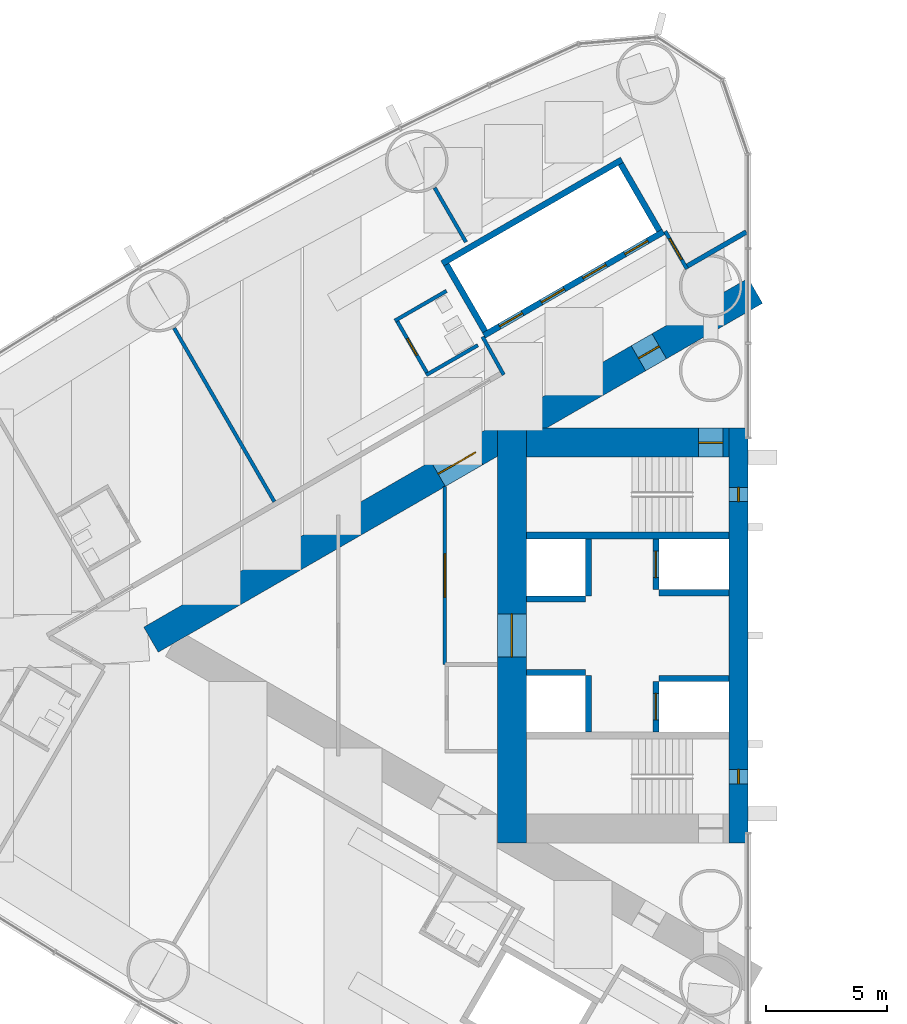
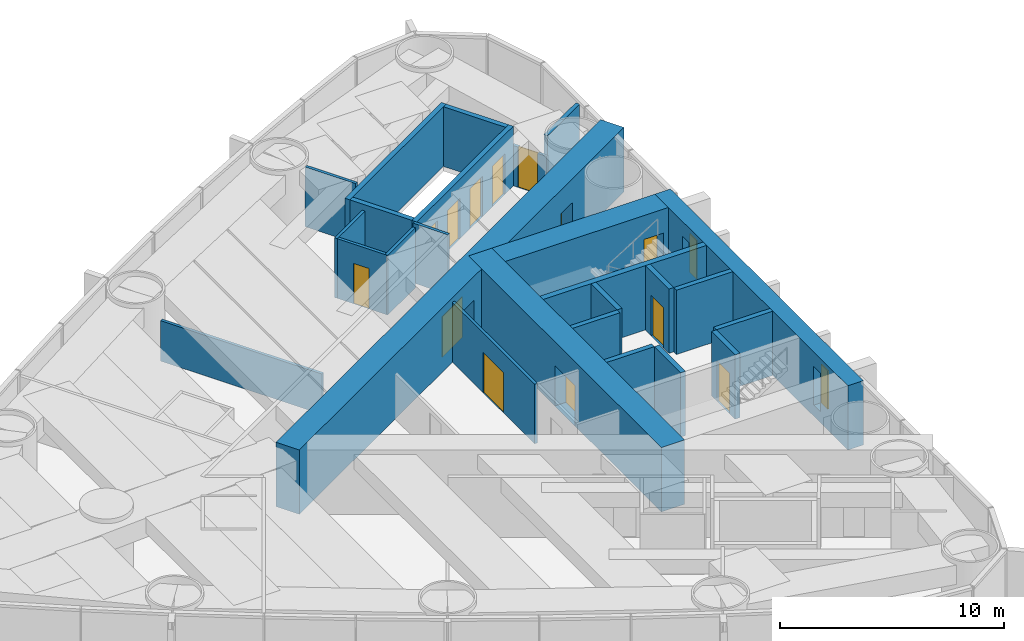
# One storey, part 12 of 18: 26 walls, 13 doors, 2 windows, 15 openings.
"""IFC4 building model written with IfcOpenShell, lengths in metres."""

from ifc_helpers import new_model, si_unit, direction, frame, frame_2d, origin, place, context, subcontext, project, spatial, rectangle, extrude, material, layer, layer_set, type_object, element, fill, save


model = new_model("IFC4")

# Units and contexts
model_context = context("Model", 3, precision=1e-05, world=origin(), true_north=direction((0.0, 1.0)))
body_context = subcontext(model_context, "Body", "Model", "MODEL_VIEW")
ifc_project = project(units=[si_unit("LENGTHUNIT", "METRE"), si_unit("AREAUNIT", "SQUARE_METRE"), si_unit("VOLUMEUNIT", "CUBIC_METRE"), si_unit("PLANEANGLEUNIT", "RADIAN"), si_unit("MASSUNIT", "GRAM", prefix="KILO")], contexts=[model_context])

# Site, building, storey
site_placement = place(None, origin())
site = spatial("IfcSite", under=ifc_project, at=site_placement, CompositionType="ELEMENT")
building_placement = place(site_placement, origin())
building = spatial("IfcBuilding", under=site, at=building_placement, Name="Lancet Gate Hotel", CompositionType="ELEMENT")
storey_placement = place(building_placement, frame((0.0, 0.0, 136.10009765625)))
storey = spatial("IfcBuildingStorey", under=building, at=storey_placement, Name="L36", CompositionType="ELEMENT", Elevation=136.10009765625)

# Wall
ifc_material_1 = material(Name="Moisture resistant board partition")
ifc_layer_1 = layer(ifc_material_1, 0.14990234375)
ifc_layer_set_1 = layer_set([ifc_layer_1], Name="Bathroom wall 150")
wall_type_1 = type_object("IfcWallType", Name="Bathroom wall 150", PredefinedType="PARTITIONING", material=ifc_layer_set_1)
wall_1_placement = place(storey_placement, frame((-40.009765625, 14.294189453125, 0.0), z_axis=(0.0, 0.0, 1.0), x_axis=(-0.866031185235, -0.4999899861, 0.0)))
element("IfcWall", 1, at=wall_1_placement, inside=storey, type_object=wall_type_1, Name="T1 bathroom wall 150 L36", PredefinedType="PARTITIONING", context=body_context, shape_type="SweptSolid", body=[
    extrude(rectangle(XDim=2.47509765625, YDim=0.14990234375, at=frame_2d((1.237548828125, 0.0))), origin(), (0.0, 0.0, 1.0), 3.25),
])

# Wall, opening, door
wall_2_placement = place(storey_placement, frame((-40.788330078125, 10.842529296875, 0.0), z_axis=(0.0, 0.0, 1.0), x_axis=(-0.500006934395, 0.866021400173, 0.0)))
wall_2 = element("IfcWall", 2, at=wall_2_placement, inside=storey, type_object=wall_type_1, Name="T1 bathroom wall 150 L36", PredefinedType="PARTITIONING", context=body_context, shape_type="SweptSolid", body=[
    extrude(rectangle(XDim=2.60009765625, YDim=0.14990234375, at=frame_2d((1.300048828125, 0.0))), origin(), (0.0, 0.0, 1.0), 3.25),
])
opening_1_placement = place(wall_2_placement, frame((0.89990234375, 0.0, 0.0)))
opening_1 = element("IfcOpeningElement", 3, at=opening_1_placement, cuts=wall_2, Name="Opening 3602-B", PredefinedType="OPENING", context=body_context, shape_type="SweptSolid", body=[
    extrude(rectangle(XDim=0.800048828125, YDim=2.199951171875, at=frame_2d((0.39990234375, 1.10009765625))), frame((0.0, 0.0849609375, 0.0), z_axis=(0.0, -1.0, 0.0), x_axis=(1.0, 0.0, 0.0)), (0.0, 0.0, 1.0), 0.169921875),
])
ifc_material_2 = material(Name="Timber door set", Category="wood")
door_type_1 = type_object("IfcDoorType", Name="Bathroom door 800", OperationType="SINGLE_SWING_RIGHT", PredefinedType="DOOR", material=ifc_material_2)
door_1_placement = place(opening_1_placement, origin())
door_1 = element("IfcDoor", 4, at=door_1_placement, inside=storey, type_object=door_type_1, Name="3602-B", OperationType="SINGLE_SWING_RIGHT", OverallHeight=2.199951171875, OverallWidth=0.800048828125, PredefinedType="DOOR", context=body_context, shape_type="SweptSolid", body=[
    extrude(rectangle(XDim=0.800048828125, YDim=2.199951171875, at=frame_2d((0.39990234375, 1.10009765625))), frame((0.0, 0.02490234375, 0.0), z_axis=(0.0, -1.0, 0.0), x_axis=(1.0, 0.0, 0.0)), (0.0, 0.0, 1.0), 0.050048828125),
])
fill(opening_1, door_1)

# Wall
wall_3_placement = place(storey_placement, frame((-38.7099609375, 12.04248046875, 0.0), z_axis=(0.0, 0.0, 1.0), x_axis=(-0.86604923931, -0.499958713387, 0.0)))
element("IfcWall", 5, at=wall_3_placement, inside=storey, type_object=wall_type_1, Name="T1 bathroom wall 150 L36", PredefinedType="PARTITIONING", context=body_context, shape_type="SweptSolid", body=[
    extrude(rectangle(XDim=2.474853515625, YDim=0.14990234375, at=frame_2d((1.2373046875, 0.0))), origin(), (0.0, 0.0, 1.0), 3.25),
])

# Wall, openings, doors
ifc_material_3 = material(Name="Concrete C70/85", Category="concrete")
ifc_layer_2 = layer(ifc_material_3, 1.199951171875)
ifc_layer_set_2 = layer_set([ifc_layer_2], Name="Buttress wall 1200")
wall_type_2 = type_object("IfcWallType", Name="Buttress wall 1200", PredefinedType="SHEAR", material=ifc_layer_set_2)
wall_4_placement = place(storey_placement, frame((-27.199951171875, 14.300048828125, 0.0), z_axis=(0.0, 0.0, 1.0), x_axis=(-0.866026593062, -0.499997940104, 0.0)))
wall_4 = element("IfcWall", 6, at=wall_4_placement, inside=storey, type_object=wall_type_2, Name="T1 buttress wall S L36", PredefinedType="SHEAR", context=body_context, shape_type="SweptSolid", body=[
    extrude(rectangle(XDim=28.9462890625, YDim=1.199951171875, at=frame_2d((14.47314453125, 0.0))), origin(), (0.0, 0.0, 1.0), 3.5),
])
opening_2_placement = place(wall_4_placement, frame((4.60009765625, 0.0, 0.0)))
opening_2 = element("IfcOpeningElement", 7, at=opening_2_placement, cuts=wall_4, Name="Opening T1-L36-LS", PredefinedType="OPENING", context=body_context, shape_type="SweptSolid", body=[
    extrude(rectangle(XDim=1.0, YDim=2.199951171875, at=frame_2d((0.5, 1.10009765625))), frame((0.0, 0.60986328125, 0.0), z_axis=(0.0, -1.0, 0.0), x_axis=(1.0, 0.0, 0.0)), (0.0, 0.0, 1.0), 1.219970703125),
])
opening_3_placement = place(wall_4_placement, frame((13.39453125, 0.0, 0.0)))
opening_3 = element("IfcOpeningElement", 8, at=opening_3_placement, cuts=wall_4, Name="Opening T1-L36-LHS", PredefinedType="OPENING", context=body_context, shape_type="SweptSolid", body=[
    extrude(rectangle(XDim=1.800048828125, YDim=2.199951171875, at=frame_2d((0.89990234375, 1.10009765625))), frame((0.0, 0.60986328125, 0.0), z_axis=(0.0, -1.0, 0.0), x_axis=(1.0, 0.0, 0.0)), (0.0, 0.0, 1.0), 1.219970703125),
])
ifc_material_4 = material(Name="Timber door set", Category="wood")
door_type_2 = type_object("IfcDoorType", Name="Lobby double door 1800", OperationType="DOUBLE_DOOR_SINGLE_SWING", PredefinedType="DOOR", material=ifc_material_4)
door_2_placement = place(opening_3_placement, origin())
door_2 = element("IfcDoor", 9, at=door_2_placement, inside=storey, type_object=door_type_2, Name="T1-L36-LHS", OperationType="DOUBLE_DOOR_SINGLE_SWING", OverallHeight=2.199951171875, OverallWidth=1.800048828125, PredefinedType="DOOR", context=body_context, shape_type="SweptSolid", body=[
    extrude(rectangle(XDim=1.800048828125, YDim=2.199951171875, at=frame_2d((0.89990234375, 1.10009765625))), frame((0.0, 0.02490234375, 0.0), z_axis=(0.0, -1.0, 0.0), x_axis=(1.0, 0.0, 0.0)), (0.0, 0.0, 1.0), 0.050048828125),
])
fill(opening_3, door_2)
ifc_material_5 = material(Name="Timber door set", Category="wood")
door_type_3 = type_object("IfcDoorType", Name="Stair lobby door 1000", OperationType="SINGLE_SWING_LEFT", PredefinedType="DOOR", material=ifc_material_5)
door_3_placement = place(opening_2_placement, origin())
door_3 = element("IfcDoor", 10, at=door_3_placement, inside=storey, type_object=door_type_3, Name="T1-L36-LS", OperationType="SINGLE_SWING_LEFT", OverallHeight=2.199951171875, OverallWidth=1.0, PredefinedType="DOOR", context=body_context, shape_type="SweptSolid", body=[
    extrude(rectangle(XDim=1.0, YDim=2.199951171875, at=frame_2d((0.5, 1.10009765625))), frame((0.0, 0.02490234375, 0.0), z_axis=(0.0, -1.0, 0.0), x_axis=(1.0, 0.0, 0.0)), (0.0, 0.0, 1.0), 0.050048828125),
])
fill(opening_2, door_3)

# Wall, opening, door
ifc_material_6 = material(Name="Concrete C70/85", Category="concrete")
ifc_layer_3 = layer(ifc_material_6, 1.199951171875)
ifc_layer_set_3 = layer_set([ifc_layer_3], Name="Core wall 1200")
wall_type_3 = type_object("IfcWallType", Name="Core wall 1200", PredefinedType="SHEAR", material=ifc_layer_set_3)
wall_5_placement = place(storey_placement, frame((-37.300048828125, 8.60009765625, 0.0), z_axis=(0.0, 0.0, 1.0), x_axis=(0.0, -1.0, 0.0)))
wall_5 = element("IfcWall", 11, at=wall_5_placement, inside=storey, type_object=wall_type_3, Name="T1 core wall back L36", PredefinedType="SHEAR", context=body_context, shape_type="SweptSolid", body=[
    extrude(rectangle(XDim=17.2001953125, YDim=1.199951171875, at=frame_2d((8.60009765625, 0.0))), origin(), (0.0, 0.0, 1.0), 3.5),
])
opening_4_placement = place(wall_5_placement, frame((7.699951171875, 0.0, 0.0)))
opening_4 = element("IfcOpeningElement", 12, at=opening_4_placement, cuts=wall_5, Name="Opening T1-L36-LL", PredefinedType="OPENING", context=body_context, shape_type="SweptSolid", body=[
    extrude(rectangle(XDim=1.800048828125, YDim=2.199951171875, at=frame_2d((0.89990234375, 1.10009765625))), frame((0.0, 0.60986328125, 0.0), z_axis=(0.0, -1.0, 0.0), x_axis=(1.0, 0.0, 0.0)), (0.0, 0.0, 1.0), 1.219970703125),
])
door_4_placement = place(opening_4_placement, origin())
door_4 = element("IfcDoor", 13, at=door_4_placement, inside=storey, type_object=door_type_2, Name="T1-L36-LL", OperationType="DOUBLE_DOOR_SINGLE_SWING", OverallHeight=2.199951171875, OverallWidth=1.800048828125, PredefinedType="DOOR", context=body_context, shape_type="SweptSolid", body=[
    extrude(rectangle(XDim=1.800048828125, YDim=2.199951171875, at=frame_2d((0.89990234375, 1.10009765625))), frame((0.0, 0.02490234375, 0.0), z_axis=(0.0, -1.0, 0.0), x_axis=(1.0, 0.0, 0.0)), (0.0, 0.0, 1.0), 0.050048828125),
])
fill(opening_4, door_4)

wall_6_placement = place(storey_placement, frame((-28.300048828125, 8.0, 0.0), z_axis=(0.0, 0.0, 1.0), x_axis=(-1.0, 0.0, 0.0)))
wall_6 = element("IfcWall", 14, at=wall_6_placement, inside=storey, type_object=wall_type_3, Name="T1 core wall side-S L36", PredefinedType="SHEAR", context=body_context, shape_type="SweptSolid", body=[
    extrude(rectangle(XDim=8.39990234375, YDim=1.199951171875, at=frame_2d((4.199951171875, 0.0))), origin(), (0.0, 0.0, 1.0), 3.5),
])
opening_5_placement = place(wall_6_placement, frame((0.25, 0.0, 0.0)))
opening_5 = element("IfcOpeningElement", 15, at=opening_5_placement, cuts=wall_6, Name="Opening T1-L36-ST1", PredefinedType="OPENING", context=body_context, shape_type="SweptSolid", body=[
    extrude(rectangle(XDim=1.0, YDim=2.199951171875, at=frame_2d((0.5, 1.10009765625))), frame((0.0, 0.60986328125, 0.0), z_axis=(0.0, -1.0, 0.0), x_axis=(1.0, 0.0, 0.0)), (0.0, 0.0, 1.0), 1.219970703125),
])
ifc_material_7 = material(Name="Timber door set", Category="wood")
door_type_4 = type_object("IfcDoorType", Name="Stair door 1000", OperationType="SINGLE_SWING_RIGHT", PredefinedType="DOOR", material=ifc_material_7)
door_5_placement = place(opening_5_placement, origin())
door_5 = element("IfcDoor", 16, at=door_5_placement, inside=storey, type_object=door_type_4, Name="T1-L36-ST1", OperationType="SINGLE_SWING_RIGHT", OverallHeight=2.199951171875, OverallWidth=1.0, PredefinedType="DOOR", context=body_context, shape_type="SweptSolid", body=[
    extrude(rectangle(XDim=1.0, YDim=2.199951171875, at=frame_2d((0.5, 1.10009765625))), frame((0.0, 0.02490234375, 0.0), z_axis=(0.0, -1.0, 0.0), x_axis=(1.0, 0.0, 0.0)), (0.0, 0.0, 1.0), 0.050048828125),
])
fill(opening_5, door_5)

# Wall, openings, windows
ifc_material_8 = material(Name="Concrete C70/85", Category="concrete")
ifc_layer_4 = layer(ifc_material_8, 0.800048828125)
ifc_layer_set_4 = layer_set([ifc_layer_4], Name="Core wall 800")
wall_type_4 = type_object("IfcWallType", Name="Core wall 800", PredefinedType="SHEAR", material=ifc_layer_set_4)
wall_7_placement = place(storey_placement, frame((-27.89990234375, 8.60009765625, 0.0), z_axis=(0.0, 0.0, 1.0), x_axis=(0.0, -1.0, 0.0)))
wall_7 = element("IfcWall", 17, at=wall_7_placement, inside=storey, type_object=wall_type_4, Name="T1 core wall front L36", PredefinedType="SHEAR", context=body_context, shape_type="SweptSolid", body=[
    extrude(rectangle(XDim=17.2001953125, YDim=0.800048828125, at=frame_2d((8.60009765625, 0.0))), origin(), (0.0, 0.0, 1.0), 3.5),
])
opening_6_placement = place(wall_7_placement, frame((2.449951171875, 0.0, 0.60009765625)))
opening_6 = element("IfcOpeningElement", 18, at=opening_6_placement, cuts=wall_7, Name="Opening LW1", PredefinedType="OPENING", context=body_context, shape_type="SweptSolid", body=[
    extrude(rectangle(XDim=0.60009765625, YDim=2.10009765625, at=frame_2d((0.300048828125, 1.050048828125))), frame((0.0, 0.409912109375, 0.0), z_axis=(0.0, -1.0, 0.0), x_axis=(1.0, 0.0, 0.0)), (0.0, 0.0, 1.0), 0.820068359375),
])
opening_7_placement = place(wall_7_placement, frame((14.14990234375, 0.0, 0.60009765625)))
opening_7 = element("IfcOpeningElement", 19, at=opening_7_placement, cuts=wall_7, Name="Opening LW1", PredefinedType="OPENING", context=body_context, shape_type="SweptSolid", body=[
    extrude(rectangle(XDim=0.60009765625, YDim=2.10009765625, at=frame_2d((0.300048828125, 1.050048828125))), frame((0.0, 0.409912109375, 0.0), z_axis=(0.0, -1.0, 0.0), x_axis=(1.0, 0.0, 0.0)), (0.0, 0.0, 1.0), 0.820068359375),
])
ifc_material_9 = material(Name="Fire-resisting glazed steel window", Category="steel")
window_type = type_object("IfcWindowType", Name="Lancet window 600x2100", PartitioningType="SINGLE_PANEL", PredefinedType="WINDOW", material=ifc_material_9)
window_1_placement = place(opening_6_placement, origin())
window_1 = element("IfcWindow", 20, at=window_1_placement, inside=storey, type_object=window_type, Name="T1 stair window S L36", OverallHeight=2.10009765625, OverallWidth=0.60009765625, PartitioningType="SINGLE_PANEL", PredefinedType="WINDOW", context=body_context, shape_type="SweptSolid", body=[
    extrude(rectangle(XDim=0.60009765625, YDim=2.10009765625, at=frame_2d((0.300048828125, 1.050048828125))), frame((0.0, 0.030029296875, 0.0), z_axis=(0.0, -1.0, 0.0), x_axis=(1.0, 0.0, 0.0)), (0.0, 0.0, 1.0), 0.06005859375),
])
fill(opening_6, window_1)
window_2_placement = place(opening_7_placement, origin())
window_2 = element("IfcWindow", 21, at=window_2_placement, inside=storey, type_object=window_type, Name="T1 stair window N L36", OverallHeight=2.10009765625, OverallWidth=0.60009765625, PartitioningType="SINGLE_PANEL", PredefinedType="WINDOW", context=body_context, shape_type="SweptSolid", body=[
    extrude(rectangle(XDim=0.60009765625, YDim=2.10009765625, at=frame_2d((0.300048828125, 1.050048828125))), frame((0.0, 0.030029296875, 0.0), z_axis=(0.0, -1.0, 0.0), x_axis=(1.0, 0.0, 0.0)), (0.0, 0.0, 1.0), 0.06005859375),
])
fill(opening_7, window_2)

# Wall
ifc_material_10 = material(Name="Gypsum board partition")
ifc_layer_5 = layer(ifc_material_10, 0.199951171875)
ifc_layer_set_5 = layer_set([ifc_layer_5], Name="Corridor wall 200")
wall_type_5 = type_object("IfcWallType", Name="Corridor wall 200", PredefinedType="PARTITIONING", material=ifc_layer_set_5)
wall_8_placement = place(storey_placement, frame((-27.572021484375, 16.740966796875, 0.0), z_axis=(0.0, 0.0, 1.0), x_axis=(-0.866034618596, -0.499984039138, 0.0)))
element("IfcWall", 22, at=wall_8_placement, inside=storey, type_object=wall_type_5, Name="T1 corridor wall 200 L36", PredefinedType="PARTITIONING", context=body_context, shape_type="SweptSolid", body=[
    extrude(rectangle(XDim=2.8544921875, YDim=0.199951171875, at=frame_2d((1.42724609375, 0.0))), origin(), (0.0, 0.0, 1.0), 3.25),
])

# Wall, openings, doors
ifc_material_11 = material(Name="Gypsum board partition")
ifc_layer_6 = layer(ifc_material_11, 0.25)
ifc_layer_set_6 = layer_set([ifc_layer_6], Name="Lift shaft partition 250")
wall_type_6 = type_object("IfcWallType", Name="Lift shaft partition 250", PredefinedType="PARTITIONING", material=ifc_layer_set_6)
wall_9_placement = place(storey_placement, frame((-31.010498046875, 16.747314453125, 0.0), z_axis=(0.0, 0.0, 1.0), x_axis=(-0.866028165386, -0.499995216735, 0.0)))
wall_9 = element("IfcWall", 23, at=wall_9_placement, inside=storey, type_object=wall_type_6, Name="T1 lift shaft wall LR L36", PredefinedType="PARTITIONING", context=body_context, shape_type="SweptSolid", body=[
    extrude(rectangle(XDim=8.60009765625, YDim=0.25, at=frame_2d((4.300048828125, 0.0))), origin(), (0.0, 0.0, 1.0), 3.25),
])
opening_8_placement = place(wall_9_placement, frame((0.75, 0.0, 0.0)))
opening_8 = element("IfcOpeningElement", 24, at=opening_8_placement, cuts=wall_9, Name="Opening T1-LR1-L36", PredefinedType="OPENING", context=body_context, shape_type="SweptSolid", body=[
    extrude(rectangle(XDim=1.10009765625, YDim=2.199951171875, at=frame_2d((0.550048828125, 1.10009765625))), frame((0.0, 0.135009765625, 0.0), z_axis=(0.0, -1.0, 0.0), x_axis=(1.0, 0.0, 0.0)), (0.0, 0.0, 1.0), 0.27001953125),
])
opening_9_placement = place(wall_9_placement, frame((2.75, 0.0, 0.0)))
opening_9 = element("IfcOpeningElement", 25, at=opening_9_placement, cuts=wall_9, Name="Opening T1-LR2-L36", PredefinedType="OPENING", context=body_context, shape_type="SweptSolid", body=[
    extrude(rectangle(XDim=1.10009765625, YDim=2.199951171875, at=frame_2d((0.550048828125, 1.10009765625))), frame((0.0, 0.135009765625, 0.0), z_axis=(0.0, -1.0, 0.0), x_axis=(1.0, 0.0, 0.0)), (0.0, 0.0, 1.0), 0.27001953125),
])
opening_10_placement = place(wall_9_placement, frame((4.75, 0.0, 0.0)))
opening_10 = element("IfcOpeningElement", 26, at=opening_10_placement, cuts=wall_9, Name="Opening T1-LR3-L36", PredefinedType="OPENING", context=body_context, shape_type="SweptSolid", body=[
    extrude(rectangle(XDim=1.10009765625, YDim=2.199951171875, at=frame_2d((0.550048828125, 1.10009765625))), frame((0.0, 0.135009765625, 0.0), z_axis=(0.0, -1.0, 0.0), x_axis=(1.0, 0.0, 0.0)), (0.0, 0.0, 1.0), 0.27001953125),
])
opening_11_placement = place(wall_9_placement, frame((6.75, 0.0, 0.0)))
opening_11 = element("IfcOpeningElement", 27, at=opening_11_placement, cuts=wall_9, Name="Opening T1-LR4-L36", PredefinedType="OPENING", context=body_context, shape_type="SweptSolid", body=[
    extrude(rectangle(XDim=1.10009765625, YDim=2.199951171875, at=frame_2d((0.550048828125, 1.10009765625))), frame((0.0, 0.135009765625, 0.0), z_axis=(0.0, -1.0, 0.0), x_axis=(1.0, 0.0, 0.0)), (0.0, 0.0, 1.0), 0.27001953125),
])
ifc_material_12 = material(Name="Steel door set", Category="steel")
door_type_5 = type_object("IfcDoorType", Name="Lift landing door 1100", OperationType="DOUBLE_DOOR_SLIDING", PredefinedType="USERDEFINED", material=ifc_material_12)
door_6_placement = place(opening_8_placement, origin())
door_6 = element("IfcDoor", 28, at=door_6_placement, inside=storey, type_object=door_type_5, Name="T1-LR1-L36", ObjectType="LIFT LANDING DOOR", OperationType="DOUBLE_DOOR_SLIDING", OverallHeight=2.199951171875, OverallWidth=1.10009765625, PredefinedType="USERDEFINED", context=body_context, shape_type="SweptSolid", body=[
    extrude(rectangle(XDim=1.10009765625, YDim=2.199951171875, at=frame_2d((0.550048828125, 1.10009765625))), frame((0.0, 0.02490234375, 0.0), z_axis=(0.0, -1.0, 0.0), x_axis=(1.0, 0.0, 0.0)), (0.0, 0.0, 1.0), 0.050048828125),
])
fill(opening_8, door_6)
door_7_placement = place(opening_9_placement, origin())
door_7 = element("IfcDoor", 29, at=door_7_placement, inside=storey, type_object=door_type_5, Name="T1-LR2-L36", ObjectType="LIFT LANDING DOOR", OperationType="DOUBLE_DOOR_SLIDING", OverallHeight=2.199951171875, OverallWidth=1.10009765625, PredefinedType="USERDEFINED", context=body_context, shape_type="SweptSolid", body=[
    extrude(rectangle(XDim=1.10009765625, YDim=2.199951171875, at=frame_2d((0.550048828125, 1.10009765625))), frame((0.0, 0.02490234375, 0.0), z_axis=(0.0, -1.0, 0.0), x_axis=(1.0, 0.0, 0.0)), (0.0, 0.0, 1.0), 0.050048828125),
])
fill(opening_9, door_7)
door_8_placement = place(opening_10_placement, origin())
door_8 = element("IfcDoor", 30, at=door_8_placement, inside=storey, type_object=door_type_5, Name="T1-LR3-L36", ObjectType="LIFT LANDING DOOR", OperationType="DOUBLE_DOOR_SLIDING", OverallHeight=2.199951171875, OverallWidth=1.10009765625, PredefinedType="USERDEFINED", context=body_context, shape_type="SweptSolid", body=[
    extrude(rectangle(XDim=1.10009765625, YDim=2.199951171875, at=frame_2d((0.550048828125, 1.10009765625))), frame((0.0, 0.02490234375, 0.0), z_axis=(0.0, -1.0, 0.0), x_axis=(1.0, 0.0, 0.0)), (0.0, 0.0, 1.0), 0.050048828125),
])
fill(opening_10, door_8)
door_9_placement = place(opening_11_placement, origin())
door_9 = element("IfcDoor", 31, at=door_9_placement, inside=storey, type_object=door_type_5, Name="T1-LR4-L36", ObjectType="LIFT LANDING DOOR", OperationType="DOUBLE_DOOR_SLIDING", OverallHeight=2.199951171875, OverallWidth=1.10009765625, PredefinedType="USERDEFINED", context=body_context, shape_type="SweptSolid", body=[
    extrude(rectangle(XDim=1.10009765625, YDim=2.199951171875, at=frame_2d((0.550048828125, 1.10009765625))), frame((0.0, 0.02490234375, 0.0), z_axis=(0.0, -1.0, 0.0), x_axis=(1.0, 0.0, 0.0)), (0.0, 0.0, 1.0), 0.050048828125),
])
fill(opening_11, door_9)

# Walls
wall_10_placement = place(storey_placement, frame((-32.735595703125, 19.73583984375, 0.0), z_axis=(0.0, 0.0, 1.0), x_axis=(-0.866028165386, -0.499995216735, 0.0)))
element("IfcWall", 32, at=wall_10_placement, inside=storey, type_object=wall_type_6, Name="T1 lift shaft wall LR L36", PredefinedType="PARTITIONING", context=body_context, shape_type="SweptSolid", body=[
    extrude(rectangle(XDim=8.60009765625, YDim=0.25, at=frame_2d((4.300048828125, 0.0))), origin(), (0.0, 0.0, 1.0), 3.25),
])
wall_11_placement = place(storey_placement, frame((-31.18115234375, 16.79296875, 0.0), z_axis=(0.0, 0.0, 1.0), x_axis=(-0.499929347863, 0.866066190972, 0.0)))
element("IfcWall", 33, at=wall_11_placement, inside=storey, type_object=wall_type_6, Name="T1 lift shaft wall LR L36", PredefinedType="PARTITIONING", context=body_context, shape_type="SweptSolid", body=[
    extrude(rectangle(XDim=3.20068359375, YDim=0.25, at=frame_2d((1.600341796875, 0.0))), origin(), (0.0, 0.0, 1.0), 3.25),
])
wall_12_placement = place(storey_placement, frame((-38.412841796875, 12.617919921875, 0.0), z_axis=(0.0, 0.0, 1.0), x_axis=(-0.499872130319, 0.866099216793, 0.0)))
element("IfcWall", 34, at=wall_12_placement, inside=storey, type_object=wall_type_6, Name="T1 lift shaft wall LR L36", PredefinedType="PARTITIONING", context=body_context, shape_type="SweptSolid", body=[
    extrude(rectangle(XDim=3.200439453125, YDim=0.25, at=frame_2d((1.60009765625, 0.0))), origin(), (0.0, 0.0, 1.0), 3.25),
])

# Wall, opening, door
ifc_material_13 = material(Name="Concrete C50/60", Category="concrete")
ifc_layer_7 = layer(ifc_material_13, 0.25)
ifc_layer_set_7 = layer_set([ifc_layer_7], Name="Lift shaft wall 250")
wall_type_7 = type_object("IfcWallType", Name="Lift shaft wall 250", PredefinedType="SHEAR", material=ifc_layer_set_7)
wall_13_placement = place(storey_placement, frame((-31.324951171875, 4.0, 0.0), z_axis=(0.0, 0.0, 1.0), x_axis=(0.0, -1.0, 0.0)))
wall_13 = element("IfcWall", 35, at=wall_13_placement, inside=storey, type_object=wall_type_7, Name="T1 core wall row1-S L36", PredefinedType="SHEAR", context=body_context, shape_type="SweptSolid", body=[
    extrude(rectangle(XDim=2.10009765625, YDim=0.25, at=frame_2d((1.050048828125, 0.0))), origin(), (0.0, 0.0, 1.0), 3.5),
])
opening_12_placement = place(wall_13_placement, frame((0.5, 0.0, 0.0)))
opening_12 = element("IfcOpeningElement", 36, at=opening_12_placement, cuts=wall_13, Name="Opening T1-SL1-L36", PredefinedType="OPENING", context=body_context, shape_type="SweptSolid", body=[
    extrude(rectangle(XDim=1.10009765625, YDim=2.199951171875, at=frame_2d((0.550048828125, 1.10009765625))), frame((0.0, 0.135009765625, 0.0), z_axis=(0.0, -1.0, 0.0), x_axis=(1.0, 0.0, 0.0)), (0.0, 0.0, 1.0), 0.27001953125),
])
ifc_material_14 = material(Name="Timber door set", Category="wood")
door_type_6 = type_object("IfcDoorType", Name="Service lift landing door 1100", OperationType="SLIDING_TO_LEFT", PredefinedType="USERDEFINED", material=ifc_material_14)
door_10_placement = place(opening_12_placement, origin())
door_10 = element("IfcDoor", 37, at=door_10_placement, inside=storey, type_object=door_type_6, Name="T1-SL1-L36", ObjectType="LIFT LANDING DOOR", OperationType="SLIDING_TO_LEFT", OverallHeight=2.199951171875, OverallWidth=1.10009765625, PredefinedType="USERDEFINED", context=body_context, shape_type="SweptSolid", body=[
    extrude(rectangle(XDim=1.10009765625, YDim=2.199951171875, at=frame_2d((0.550048828125, 1.10009765625))), frame((0.0, 0.02490234375, 0.0), z_axis=(0.0, -1.0, 0.0), x_axis=(1.0, 0.0, 0.0)), (0.0, 0.0, 1.0), 0.050048828125),
])
fill(opening_12, door_10)

# Walls
wall_14_placement = place(storey_placement, frame((-34.125, 4.0, 0.0), z_axis=(0.0, 0.0, 1.0), x_axis=(0.0, -1.0, 0.0)))
element("IfcWall", 38, at=wall_14_placement, inside=storey, type_object=wall_type_7, Name="T1 core wall row2-S L36", PredefinedType="SHEAR", context=body_context, shape_type="SweptSolid", body=[
    extrude(rectangle(XDim=2.35009765625, YDim=0.25, at=frame_2d((1.175048828125, 0.0))), origin(), (0.0, 0.0, 1.0), 3.5),
])
wall_15_placement = place(storey_placement, frame((-28.300048828125, 1.77490234375, 0.0), z_axis=(0.0, 0.0, 1.0), x_axis=(-1.0, 0.0, 0.0)))
element("IfcWall", 39, at=wall_15_placement, inside=storey, type_object=wall_type_7, Name="T1 core wall pass1-S L36", PredefinedType="SHEAR", context=body_context, shape_type="SweptSolid", body=[
    extrude(rectangle(XDim=2.89990234375, YDim=0.25, at=frame_2d((1.449951171875, 0.0))), origin(), (0.0, 0.0, 1.0), 3.5),
])
wall_16_placement = place(storey_placement, frame((-34.25, 1.52490234375, 0.0), z_axis=(0.0, 0.0, 1.0), x_axis=(-1.0, 0.0, 0.0)))
element("IfcWall", 40, at=wall_16_placement, inside=storey, type_object=wall_type_7, Name="T1 core wall pass2-S L36", PredefinedType="SHEAR", context=body_context, shape_type="SweptSolid", body=[
    extrude(rectangle(XDim=2.449951171875, YDim=0.25, at=frame_2d((1.22509765625, 0.0))), origin(), (0.0, 0.0, 1.0), 3.5),
])

# Wall, opening, door
wall_17_placement = place(storey_placement, frame((-31.324951171875, -1.89990234375, 0.0), z_axis=(0.0, 0.0, 1.0), x_axis=(0.0, -1.0, 0.0)))
wall_17 = element("IfcWall", 41, at=wall_17_placement, inside=storey, type_object=wall_type_7, Name="T1 core wall row1-N L36", PredefinedType="SHEAR", context=body_context, shape_type="SweptSolid", body=[
    extrude(rectangle(XDim=2.10009765625, YDim=0.25, at=frame_2d((1.050048828125, 0.0))), origin(), (0.0, 0.0, 1.0), 3.5),
])
opening_13_placement = place(wall_17_placement, frame((0.5, 0.0, 0.0)))
opening_13 = element("IfcOpeningElement", 42, at=opening_13_placement, cuts=wall_17, Name="Opening T1-FL2-L36", PredefinedType="OPENING", context=body_context, shape_type="SweptSolid", body=[
    extrude(rectangle(XDim=1.10009765625, YDim=2.199951171875, at=frame_2d((0.550048828125, 1.10009765625))), frame((0.0, 0.135009765625, 0.0), z_axis=(0.0, -1.0, 0.0), x_axis=(1.0, 0.0, 0.0)), (0.0, 0.0, 1.0), 0.27001953125),
])
ifc_material_15 = material(Name="Steel door set", Category="steel")
door_type_7 = type_object("IfcDoorType", Name="Firefighting lift landing door 1100", OperationType="SLIDING_TO_LEFT", PredefinedType="USERDEFINED", material=ifc_material_15)
door_11_placement = place(opening_13_placement, origin())
door_11 = element("IfcDoor", 43, at=door_11_placement, inside=storey, type_object=door_type_7, Name="T1-FL2-L36", ObjectType="LIFT LANDING DOOR", OperationType="SLIDING_TO_LEFT", OverallHeight=2.199951171875, OverallWidth=1.10009765625, PredefinedType="USERDEFINED", context=body_context, shape_type="SweptSolid", body=[
    extrude(rectangle(XDim=1.10009765625, YDim=2.199951171875, at=frame_2d((0.550048828125, 1.10009765625))), frame((0.0, 0.02490234375, 0.0), z_axis=(0.0, -1.0, 0.0), x_axis=(1.0, 0.0, 0.0)), (0.0, 0.0, 1.0), 0.050048828125),
])
fill(opening_13, door_11)

# Walls
wall_18_placement = place(storey_placement, frame((-34.125, -1.64990234375, 0.0), z_axis=(0.0, 0.0, 1.0), x_axis=(0.0, -1.0, 0.0)))
element("IfcWall", 44, at=wall_18_placement, inside=storey, type_object=wall_type_7, Name="T1 core wall row2-N L36", PredefinedType="SHEAR", context=body_context, shape_type="SweptSolid", body=[
    extrude(rectangle(XDim=2.35009765625, YDim=0.25, at=frame_2d((1.175048828125, 0.0))), origin(), (0.0, 0.0, 1.0), 3.5),
])
wall_19_placement = place(storey_placement, frame((-28.300048828125, -1.77490234375, 0.0), z_axis=(0.0, 0.0, 1.0), x_axis=(-1.0, 0.0, 0.0)))
element("IfcWall", 45, at=wall_19_placement, inside=storey, type_object=wall_type_7, Name="T1 core wall pass1-N L36", PredefinedType="SHEAR", context=body_context, shape_type="SweptSolid", body=[
    extrude(rectangle(XDim=2.89990234375, YDim=0.25, at=frame_2d((1.449951171875, 0.0))), origin(), (0.0, 0.0, 1.0), 3.5),
])
wall_20_placement = place(storey_placement, frame((-34.25, -1.52490234375, 0.0), z_axis=(0.0, 0.0, 1.0), x_axis=(-1.0, 0.0, 0.0)))
element("IfcWall", 46, at=wall_20_placement, inside=storey, type_object=wall_type_7, Name="T1 core wall pass2-N L36", PredefinedType="SHEAR", context=body_context, shape_type="SweptSolid", body=[
    extrude(rectangle(XDim=2.449951171875, YDim=0.25, at=frame_2d((1.22509765625, 0.0))), origin(), (0.0, 0.0, 1.0), 3.5),
])
ifc_material_16 = material(Name="Gypsum board partition")
ifc_layer_8 = layer(ifc_material_16, 0.14990234375)
ifc_layer_set_8 = layer_set([ifc_layer_8], Name="Party wall 150")
wall_type_8 = type_object("IfcWallType", Name="Party wall 150", PredefinedType="PARTITIONING", material=ifc_layer_set_8)
wall_21_placement = place(storey_placement, frame((-47.151123046875, 5.552490234375, 0.0), z_axis=(0.0, 0.0, 1.0), x_axis=(-0.500003012045, 0.866023664773, 0.0)))
element("IfcWall", 47, at=wall_21_placement, inside=storey, type_object=wall_type_8, Name="T1 party wall 150 L36", PredefinedType="PARTITIONING", context=body_context, shape_type="SweptSolid", body=[
    extrude(rectangle(XDim=8.31103515625, YDim=0.14990234375, at=frame_2d((4.155517578125, 0.0))), origin(), (0.0, 0.0, 1.0), 2.199951171875),
])
wall_22_placement = place(storey_placement, frame((-39.202392578125, 16.31982421875, 0.0), z_axis=(0.0, 0.0, 1.0), x_axis=(-0.499947391036, 0.866055775454, 0.0)))
element("IfcWall", 48, at=wall_22_placement, inside=storey, type_object=wall_type_8, Name="T1 party wall 150 L36", PredefinedType="PARTITIONING", context=body_context, shape_type="SweptSolid", body=[
    extrude(rectangle(XDim=2.599365234375, YDim=0.14990234375, at=frame_2d((1.2998046875, 0.0))), origin(), (0.0, 0.0, 1.0), 3.25),
])
ifc_material_17 = material(Name="Gypsum board partition")
ifc_layer_9 = layer(ifc_material_17, 0.14990234375)
ifc_layer_set_9 = layer_set([ifc_layer_9], Name="Service room wall 150")
wall_type_9 = type_object("IfcWallType", Name="Service room wall 150", PredefinedType="PARTITIONING", material=ifc_layer_set_9)
wall_23_placement = place(storey_placement, frame((-38.513427734375, 12.392333984375, 0.0), z_axis=(0.0, 0.0, 1.0), x_axis=(0.485585508183, -0.874189175317, 0.0)))
element("IfcWall", 49, at=wall_23_placement, inside=storey, type_object=wall_type_9, Name="T1 service room wall 150 L36", PredefinedType="PARTITIONING", context=body_context, shape_type="SweptSolid", body=[
    extrude(rectangle(XDim=1.804931640625, YDim=0.14990234375, at=frame_2d((0.90234375, 0.0))), origin(), (0.0, 0.0, 1.0), 3.25),
])

# Wall, opening, door
wall_24_placement = place(storey_placement, frame((-30.033203125, 15.20458984375, 0.0), z_axis=(0.0, 0.0, 1.0), x_axis=(-0.499980071345, 0.866036909293, 0.0)))
wall_24 = element("IfcWall", 50, at=wall_24_placement, inside=storey, type_object=wall_type_9, Name="T1 service room wall 150 L36", PredefinedType="PARTITIONING", context=body_context, shape_type="SweptSolid", body=[
    extrude(rectangle(XDim=1.8046875, YDim=0.14990234375, at=frame_2d((0.90234375, 0.0))), origin(), (0.0, 0.0, 1.0), 2.199951171875),
])
opening_14_placement = place(wall_24_placement, frame((0.451904296875, 0.0, 0.0)))
opening_14 = element("IfcOpeningElement", 51, at=opening_14_placement, cuts=wall_24, Name="Opening T1-L36-LO1", PredefinedType="OPENING", context=body_context, shape_type="SweptSolid", body=[
    extrude(rectangle(XDim=1.0, YDim=2.199951171875, at=frame_2d((0.5, 1.10009765625))), frame((0.0, 0.0849609375, 0.0), z_axis=(0.0, -1.0, 0.0), x_axis=(1.0, 0.0, 0.0)), (0.0, 0.0, 1.0), 0.169921875),
])
ifc_material_18 = material(Name="Timber door set", Category="wood")
door_type_8 = type_object("IfcDoorType", Name="Service door 1000", OperationType="SINGLE_SWING_LEFT", PredefinedType="DOOR", material=ifc_material_18)
door_12_placement = place(opening_14_placement, origin())
door_12 = element("IfcDoor", 52, at=door_12_placement, inside=storey, type_object=door_type_8, Name="T1-L36-LO1", OperationType="SINGLE_SWING_LEFT", OverallHeight=2.199951171875, OverallWidth=1.0, PredefinedType="DOOR", context=body_context, shape_type="SweptSolid", body=[
    extrude(rectangle(XDim=1.0, YDim=2.199951171875, at=frame_2d((0.5, 1.10009765625))), frame((0.0, 0.02490234375, 0.0), z_axis=(0.0, -1.0, 0.0), x_axis=(1.0, 0.0, 0.0)), (0.0, 0.0, 1.0), 0.050048828125),
])
fill(opening_14, door_12)

wall_25_placement = place(storey_placement, frame((-40.074951171875, 6.173828125, 0.0), z_axis=(0.0, 0.0, 1.0), x_axis=(0.0, -1.0, 0.0)))
wall_25 = element("IfcWall", 53, at=wall_25_placement, inside=storey, type_object=wall_type_9, Name="T1 service room wall 150 L36", PredefinedType="PARTITIONING", context=body_context, shape_type="SweptSolid", body=[
    extrude(rectangle(XDim=7.373779296875, YDim=0.14990234375, at=frame_2d((3.68701171875, 0.0))), origin(), (0.0, 0.0, 1.0), 3.25),
])
opening_15_placement = place(wall_25_placement, frame((2.786865234375, 0.0, 0.0)))
opening_15 = element("IfcOpeningElement", 54, at=opening_15_placement, cuts=wall_25, Name="Opening T1-L36-LH", PredefinedType="OPENING", context=body_context, shape_type="SweptSolid", body=[
    extrude(rectangle(XDim=1.800048828125, YDim=2.199951171875, at=frame_2d((0.89990234375, 1.10009765625))), frame((0.0, 0.0849609375, 0.0), z_axis=(0.0, -1.0, 0.0), x_axis=(1.0, 0.0, 0.0)), (0.0, 0.0, 1.0), 0.169921875),
])
door_13_placement = place(opening_15_placement, origin())
door_13 = element("IfcDoor", 55, at=door_13_placement, inside=storey, type_object=door_type_2, Name="T1-L36-LH", OperationType="DOUBLE_DOOR_SINGLE_SWING", OverallHeight=2.199951171875, OverallWidth=1.800048828125, PredefinedType="DOOR", context=body_context, shape_type="SweptSolid", body=[
    extrude(rectangle(XDim=1.800048828125, YDim=2.199951171875, at=frame_2d((0.89990234375, 1.10009765625))), frame((0.0, 0.02490234375, 0.0), z_axis=(0.0, -1.0, 0.0), x_axis=(1.0, 0.0, 0.0)), (0.0, 0.0, 1.0), 0.050048828125),
])
fill(opening_15, door_13)

# Wall
ifc_material_19 = material(Name="Concrete C50/60", Category="concrete")
ifc_layer_10 = layer(ifc_material_19, 0.300048828125)
ifc_layer_set_10 = layer_set([ifc_layer_10], Name="Stair enclosure wall 300")
wall_type_10 = type_object("IfcWallType", Name="Stair enclosure wall 300", PredefinedType="SHEAR", material=ifc_layer_set_10)
wall_26_placement = place(storey_placement, frame((-28.300048828125, 4.14990234375, 0.0), z_axis=(0.0, 0.0, 1.0), x_axis=(-1.0, 0.0, 0.0)))
element("IfcWall", 56, at=wall_26_placement, inside=storey, type_object=wall_type_10, Name="T1 core wall stair-S L36", PredefinedType="SHEAR", context=body_context, shape_type="SweptSolid", body=[
    extrude(rectangle(XDim=8.39990234375, YDim=0.300048828125, at=frame_2d((4.199951171875, 0.0))), origin(), (0.0, 0.0, 1.0), 3.5),
])

save(model, "model.ifc")
